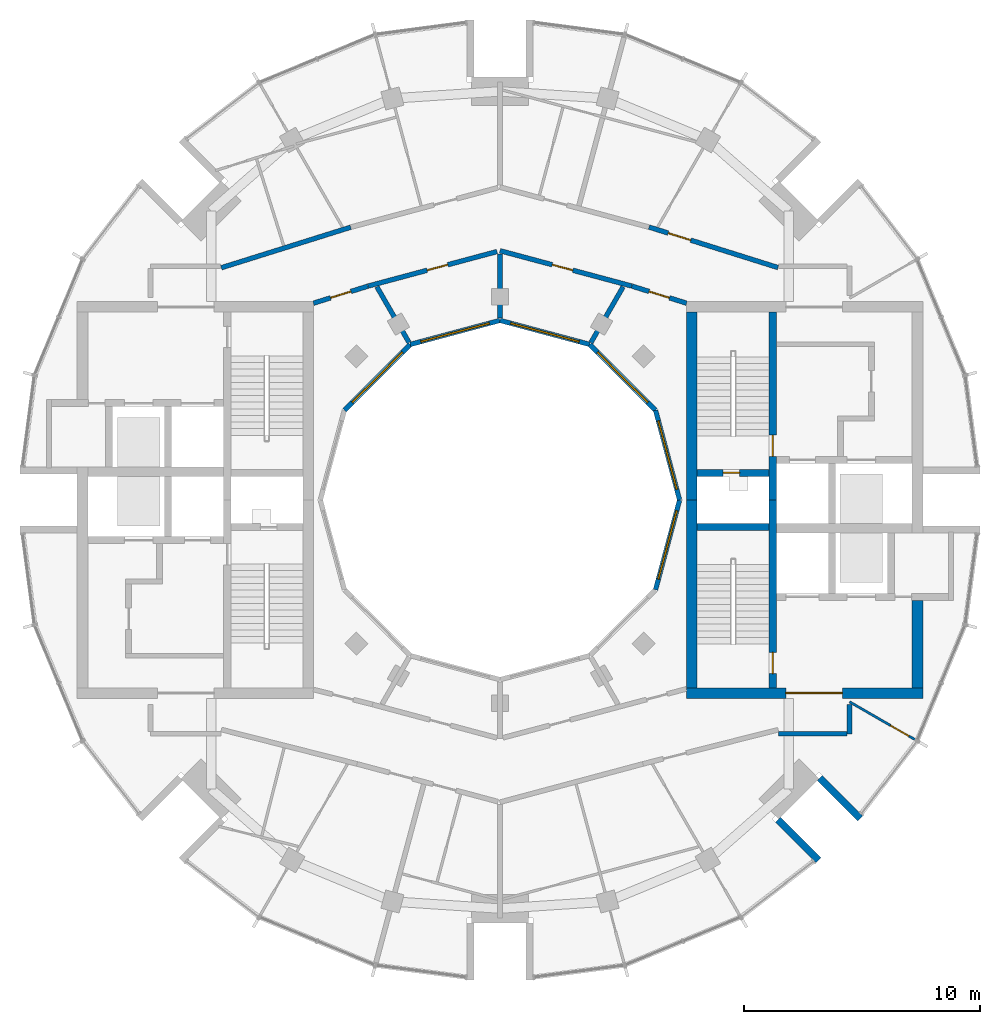
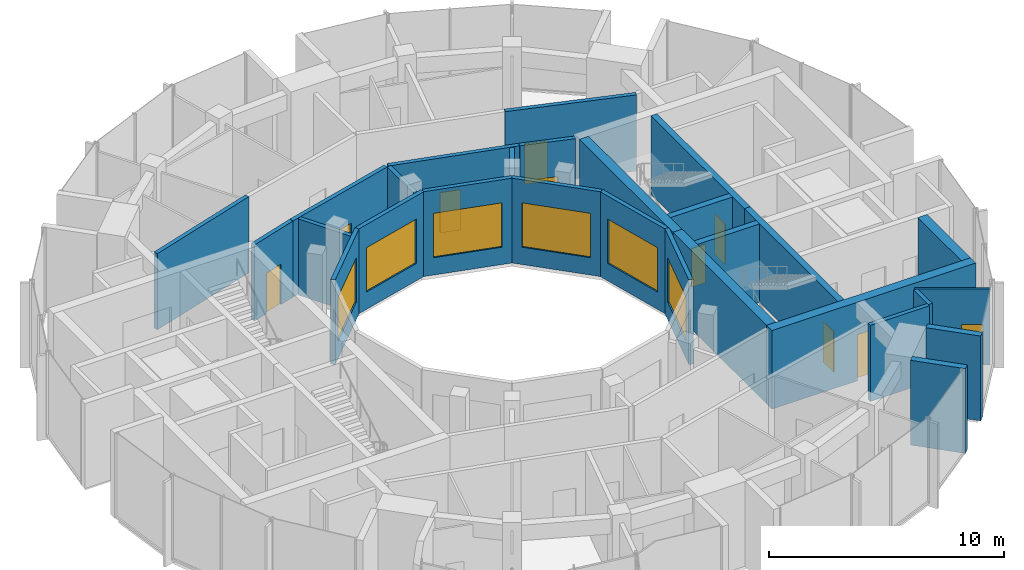
# One storey, part 9 of 13: 28 walls, 10 doors, 6 windows, 16 openings.
"""IFC4 building model written with IfcOpenShell, lengths in metres."""

from ifc_helpers import new_model, si_unit, direction, frame, frame_2d, origin, place, context, subcontext, project, spatial, rectangle, extrude, material, layer, layer_set, type_object, element, fill, save


model = new_model("IFC4")

# Units and contexts
model_context = context("Model", 3, precision=1e-05, world=origin(), true_north=direction((0.0, 1.0)))
body_context = subcontext(model_context, "Body", "Model", "MODEL_VIEW")
ifc_project = project(units=[si_unit("LENGTHUNIT", "METRE"), si_unit("AREAUNIT", "SQUARE_METRE"), si_unit("VOLUMEUNIT", "CUBIC_METRE"), si_unit("PLANEANGLEUNIT", "RADIAN"), si_unit("MASSUNIT", "GRAM", prefix="KILO")], contexts=[model_context])

# Site, building, storey
site_placement = place(None, origin())
site = spatial("IfcSite", under=ifc_project, at=site_placement, CompositionType="ELEMENT")
building_placement = place(site_placement, origin())
building = spatial("IfcBuilding", under=site, at=building_placement, Name="Torre Brocal", CompositionType="ELEMENT")
storey_placement = place(building_placement, frame((0.0, 0.0, 319.300048828125)))
storey = spatial("IfcBuildingStorey", under=building, at=storey_placement, Name="L73", CompositionType="ELEMENT", Elevation=319.300048828125)

# Wall, opening, door
ifc_material_1 = material(Name="Concrete C50", Category="concrete")
ifc_layer_1 = layer(ifc_material_1, 0.300048828125)
ifc_layer_set_1 = layer_set([ifc_layer_1], Name="Concrete C50")
wall_type_1 = type_object("IfcWallType", Name="CORE WALL 300 C50", PredefinedType="SHEAR", material=ifc_layer_set_1)
wall_1_placement = place(storey_placement, frame((91.550048828125, 75.0, 0.0), z_axis=(0.0, 0.0, 1.0), x_axis=(0.0, 1.0, 0.0)))
wall_1 = element("IfcWall", 1, at=wall_1_placement, inside=storey, type_object=wall_type_1, Name="Wall CW300-50", PredefinedType="SHEAR", context=body_context, shape_type="SweptSolid", body=[
    extrude(rectangle(XDim=7.949951171875, YDim=0.300048828125, at=frame_2d((3.97509765625, 0.0))), origin(), (0.0, 0.0, 1.0), 4.079833984375),
])
opening_1_placement = place(wall_1_placement, frame((1.85009765625, 0.0, 0.0)))
opening_1 = element("IfcOpeningElement", 2, at=opening_1_placement, cuts=wall_1, Name="Opening E-D02", PredefinedType="OPENING", context=body_context, shape_type="SweptSolid", body=[
    extrude(rectangle(XDim=0.89990234375, YDim=2.10009765625, at=frame_2d((0.449951171875, 1.050048828125))), frame((0.0, 0.159912109375, 0.0), z_axis=(0.0, -1.0, 0.0), x_axis=(1.0, 0.0, 0.0)), (0.0, 0.0, 1.0), 0.320068359375),
])
ifc_material_2 = material(Name="Steel A653", Category="steel")
door_type_1 = type_object("IfcDoorType", Name="STAIR DOOR FD120 900X2100", OperationType="SINGLE_SWING_RIGHT", PredefinedType="DOOR", material=ifc_material_2)
door_1_placement = place(opening_1_placement, origin())
door_1 = element("IfcDoor", 3, at=door_1_placement, inside=storey, type_object=door_type_1, Name="Door E-D02", OperationType="SINGLE_SWING_LEFT", OverallHeight=2.10009765625, OverallWidth=0.89990234375, PredefinedType="DOOR", context=body_context, shape_type="SweptSolid", body=[
    extrude(rectangle(XDim=0.89990234375, YDim=2.10009765625, at=frame_2d((0.449951171875, 1.050048828125))), frame((0.0, 0.02490234375, 0.0), z_axis=(0.0, -1.0, 0.0), x_axis=(1.0, 0.0, 0.0)), (0.0, 0.0, 1.0), 0.050048828125),
])
fill(opening_1, door_1)

wall_2_placement = place(storey_placement, frame((91.550048828125, 67.050048828125, 0.0), z_axis=(0.0, 0.0, 1.0), x_axis=(0.0, 1.0, 0.0)))
wall_2 = element("IfcWall", 4, at=wall_2_placement, inside=storey, type_object=wall_type_1, Name="Wall CW300-50", PredefinedType="SHEAR", context=body_context, shape_type="SweptSolid", body=[
    extrude(rectangle(XDim=7.949951171875, YDim=0.300048828125, at=frame_2d((3.97509765625, 0.0))), origin(), (0.0, 0.0, 1.0), 4.079833984375),
])
opening_2_placement = place(wall_2_placement, frame((0.60009765625, 0.0, 0.0)))
opening_2 = element("IfcOpeningElement", 5, at=opening_2_placement, cuts=wall_2, Name="Opening E-D03", PredefinedType="OPENING", context=body_context, shape_type="SweptSolid", body=[
    extrude(rectangle(XDim=0.89990234375, YDim=2.10009765625, at=frame_2d((0.449951171875, 1.050048828125))), frame((0.0, 0.159912109375, 0.0), z_axis=(0.0, -1.0, 0.0), x_axis=(1.0, 0.0, 0.0)), (0.0, 0.0, 1.0), 0.320068359375),
])
door_2_placement = place(opening_2_placement, origin())
door_2 = element("IfcDoor", 6, at=door_2_placement, inside=storey, type_object=door_type_1, Name="Door E-D03", OperationType="SINGLE_SWING_LEFT", OverallHeight=2.10009765625, OverallWidth=0.89990234375, PredefinedType="DOOR", context=body_context, shape_type="SweptSolid", body=[
    extrude(rectangle(XDim=0.89990234375, YDim=2.10009765625, at=frame_2d((0.449951171875, 1.050048828125))), frame((0.0, 0.02490234375, 0.0), z_axis=(0.0, -1.0, 0.0), x_axis=(1.0, 0.0, 0.0)), (0.0, 0.0, 1.0), 0.050048828125),
])
fill(opening_2, door_2)

wall_3_placement = place(storey_placement, frame((88.35009765625, 76.14990234375, 0.0), z_axis=(0.0, 0.0, 1.0), x_axis=(1.0, 0.0, 0.0)))
wall_3 = element("IfcWall", 7, at=wall_3_placement, inside=storey, type_object=wall_type_1, Name="Wall CW300-50", PredefinedType="SHEAR", context=body_context, shape_type="SweptSolid", body=[
    extrude(rectangle(XDim=3.0498046875, YDim=0.300048828125, at=frame_2d((1.52490234375, 0.0))), origin(), (0.0, 0.0, 1.0), 4.079833984375),
])
opening_3_placement = place(wall_3_placement, frame((1.10009765625, 0.0, 0.0)))
opening_3 = element("IfcOpeningElement", 8, at=opening_3_placement, cuts=wall_3, Name="Opening E-D01", PredefinedType="OPENING", context=body_context, shape_type="SweptSolid", body=[
    extrude(rectangle(XDim=0.699951171875, YDim=2.0, at=frame_2d((0.35009765625, 1.0))), frame((0.0, 0.159912109375, 0.0), z_axis=(0.0, -1.0, 0.0), x_axis=(1.0, 0.0, 0.0)), (0.0, 0.0, 1.0), 0.320068359375),
])
ifc_material_3 = material(Name="Steel A653", Category="steel")
door_type_2 = type_object("IfcDoorType", Name="RISER DOOR FD120 700X2000", OperationType="SINGLE_SWING_LEFT", PredefinedType="DOOR", material=ifc_material_3)
door_3_placement = place(opening_3_placement, frame((0.699951171875, 0.0, 0.0), z_axis=(0.0, 0.0, 1.0), x_axis=(-1.0, 0.0, 0.0)))
door_3 = element("IfcDoor", 9, at=door_3_placement, inside=storey, type_object=door_type_2, Name="Door E-D01", OperationType="SINGLE_SWING_RIGHT", OverallHeight=2.0, OverallWidth=0.699951171875, PredefinedType="DOOR", context=body_context, shape_type="SweptSolid", body=[
    extrude(rectangle(XDim=0.699951171875, YDim=2.0, at=frame_2d((0.35009765625, 1.0))), frame((0.0, 0.02490234375, 0.0), z_axis=(0.0, -1.0, 0.0), x_axis=(1.0, 0.0, 0.0)), (0.0, 0.0, 1.0), 0.050048828125),
])
fill(opening_3, door_3)

# Wall
wall_4_placement = place(storey_placement, frame((88.35009765625, 73.85009765625, 0.0), z_axis=(0.0, 0.0, 1.0), x_axis=(1.0, 0.0, 0.0)))
element("IfcWall", 10, at=wall_4_placement, inside=storey, type_object=wall_type_1, Name="Wall CW300-50", PredefinedType="SHEAR", context=body_context, shape_type="SweptSolid", body=[
    extrude(rectangle(XDim=3.0498046875, YDim=0.300048828125, at=frame_2d((1.52490234375, 0.0))), origin(), (0.0, 0.0, 1.0), 4.079833984375),
])

# Wall, opening, door
ifc_material_4 = material(Name="Concrete C50", Category="concrete")
ifc_layer_2 = layer(ifc_material_4, 0.449951171875)
ifc_layer_set_2 = layer_set([ifc_layer_2], Name="Concrete C50")
wall_type_2 = type_object("IfcWallType", Name="CORE WALL 450 C50", PredefinedType="SHEAR", material=ifc_layer_set_2)
wall_5_placement = place(storey_placement, frame((87.89990234375, 66.824951171875, 0.0), z_axis=(0.0, 0.0, 1.0), x_axis=(1.0, 0.0, 0.0)))
wall_5 = element("IfcWall", 11, at=wall_5_placement, inside=storey, type_object=wall_type_2, Name="Wall CW450-50", PredefinedType="SHEAR", context=body_context, shape_type="SweptSolid", body=[
    extrude(rectangle(XDim=10.0, YDim=0.449951171875, at=frame_2d((5.0, 0.0))), origin(), (0.0, 0.0, 1.0), 4.079833984375),
])
opening_4_placement = place(wall_5_placement, frame((4.199951171875, 0.0, 0.0)))
opening_4 = element("IfcOpeningElement", 12, at=opening_4_placement, cuts=wall_5, Name="Opening E-D24", PredefinedType="OPENING", context=body_context, shape_type="SweptSolid", body=[
    extrude(rectangle(XDim=2.39990234375, YDim=2.39990234375, at=frame_2d((1.199951171875, 1.199951171875))), frame((0.0, 0.23486328125, 0.0), z_axis=(0.0, -1.0, 0.0), x_axis=(1.0, 0.0, 0.0)), (0.0, 0.0, 1.0), 0.469970703125),
])
ifc_material_5 = material(Name="Steel A653", Category="steel")
door_type_3 = type_object("IfcDoorType", Name="DOUBLE FIRE DOOR FD90 2400X2400", OperationType="DOUBLE_DOOR_SINGLE_SWING", PredefinedType="DOOR", material=ifc_material_5)
door_4_placement = place(opening_4_placement, origin())
door_4 = element("IfcDoor", 13, at=door_4_placement, inside=storey, type_object=door_type_3, Name="Door E-D24", OperationType="DOUBLE_DOOR_SINGLE_SWING", OverallHeight=2.39990234375, OverallWidth=2.39990234375, PredefinedType="DOOR", context=body_context, shape_type="SweptSolid", body=[
    extrude(rectangle(XDim=2.39990234375, YDim=2.39990234375, at=frame_2d((1.199951171875, 1.199951171875))), frame((0.0, 0.02490234375, 0.0), z_axis=(0.0, -1.0, 0.0), x_axis=(1.0, 0.0, 0.0)), (0.0, 0.0, 1.0), 0.050048828125),
])
fill(opening_4, door_4)

# Walls
for number, where, z_axis, x_axis, name in (
    (14, (88.125, 75.0, 0.0), (0.0, 0.0, 1.0), (0.0, 1.0, 0.0), "Wall CW450-50"),
    (15, (88.125, 67.050048828125, 0.0), (0.0, 0.0, 1.0), (0.0, 1.0, 0.0), "Wall CW450-50"),
):
    element("IfcWall", number, at=place(storey_placement, frame(where, z_axis=z_axis, x_axis=x_axis)), inside=storey, type_object=wall_type_2, Name=name, PredefinedType="SHEAR", context=body_context, shape_type="SweptSolid", body=[
        extrude(rectangle(XDim=7.949951171875, YDim=0.449951171875, at=frame_2d((3.97509765625, 0.0))), origin(), (0.0, 0.0, 1.0), 4.079833984375),
    ])
wall_6_placement = place(storey_placement, frame((97.675048828125, 67.050048828125, 0.0), z_axis=(0.0, 0.0, 1.0), x_axis=(0.0, 1.0, 0.0)))
element("IfcWall", 16, at=wall_6_placement, inside=storey, type_object=wall_type_2, Name="Wall CW450-50", PredefinedType="SHEAR", context=body_context, shape_type="SweptSolid", body=[
    extrude(rectangle(XDim=3.699951171875, YDim=0.449951171875, at=frame_2d((1.85009765625, 0.0))), origin(), (0.0, 0.0, 1.0), 4.079833984375),
])
ifc_material_6 = material(Name="Concrete C50", Category="concrete")
ifc_layer_3 = layer(ifc_material_6, 0.300048828125)
ifc_layer_set_3 = layer_set([ifc_layer_3], Name="Concrete C50")
wall_type_3 = type_object("IfcWallType", Name="NOTCH RETURN WALL 300 C50", PredefinedType="NOTDEFINED", material=ifc_layer_set_3)
for number, where, z_axis, x_axis, name in (
    (17, (91.7734375, 61.458984375, 0.0), (0.0, 0.0, 1.0), (0.707056246487, -0.707157312274, 0.0), "NOTCH RETURN WALL"),
    (18, (93.541015625, 63.2265625, 0.0), (0.0, 0.0, 1.0), (0.707157312274, -0.707056246487, 0.0), "NOTCH RETURN WALL"),
):
    element("IfcWall", number, at=place(storey_placement, frame(where, z_axis=z_axis, x_axis=x_axis)), inside=storey, type_object=wall_type_3, Name=name, PredefinedType="NOTDEFINED", context=body_context, shape_type="SweptSolid", body=[
        extrude(rectangle(XDim=2.415771484375, YDim=0.300048828125, at=frame_2d((1.2080078125, 0.0))), origin(), (0.0, 0.0, 1.0), 4.39990234375),
    ])

# Wall, opening, door
ifc_material_7 = material(Name="Gypsum board", Category="Gypsum")
ifc_layer_4 = layer(ifc_material_7, 0.10009765625)
ifc_layer_set_4 = layer_set([ifc_layer_4], Name="Gypsum board")
wall_type_4 = type_object("IfcWallType", Name="PARTITION 100", PredefinedType="PARTITIONING", material=ifc_layer_set_4)
wall_7_placement = place(storey_placement, frame((94.800048828125, 66.454833984375, 0.0), z_axis=(0.0, 0.0, 1.0), x_axis=(0.866056279496, -0.499946517884, 0.0)))
wall_7 = element("IfcWall", 19, at=wall_7_placement, inside=storey, type_object=wall_type_4, Name="ROOM PARTITION", PredefinedType="PARTITIONING", context=body_context, shape_type="SweptSolid", body=[
    extrude(rectangle(XDim=3.206787109375, YDim=0.10009765625, at=frame_2d((1.603515625, 0.0))), origin(), (0.0, 0.0, 1.0), 3.949951171875),
])
opening_5_placement = place(wall_7_placement, frame((2.006591796875, 0.0, 0.0)))
opening_5 = element("IfcOpeningElement", 20, at=opening_5_placement, cuts=wall_7, Name="Opening N05-D23", PredefinedType="OPENING", context=body_context, shape_type="SweptSolid", body=[
    extrude(rectangle(XDim=0.89990234375, YDim=2.10009765625, at=frame_2d((0.449951171875, 1.050048828125))), frame((0.0, 0.06005859375, 0.0), z_axis=(0.0, -1.0, 0.0), x_axis=(1.0, 0.0, 0.0)), (0.0, 0.0, 1.0), 0.1201171875),
])
ifc_material_8 = material(Name="Timber", Category="wood")
door_type_4 = type_object("IfcDoorType", Name="ROOM DOOR 900X2100", OperationType="SINGLE_SWING_LEFT", PredefinedType="DOOR", material=ifc_material_8)
door_5_placement = place(opening_5_placement, origin())
door_5 = element("IfcDoor", 21, at=door_5_placement, inside=storey, type_object=door_type_4, Name="N05-D23", OperationType="SINGLE_SWING_RIGHT", OverallHeight=2.10009765625, OverallWidth=0.89990234375, PredefinedType="DOOR", context=body_context, shape_type="SweptSolid", body=[
    extrude(rectangle(XDim=0.89990234375, YDim=2.10009765625, at=frame_2d((0.449951171875, 1.050048828125))), frame((0.0, 0.02490234375, 0.0), z_axis=(0.0, -1.0, 0.0), x_axis=(1.0, 0.0, 0.0)), (0.0, 0.0, 1.0), 0.050048828125),
])
fill(opening_5, door_5)

# Wall
ifc_material_9 = material(Name="Gypsum board", Category="Gypsum")
ifc_layer_5 = layer(ifc_material_9, 0.199951171875)
ifc_layer_set_5 = layer_set([ifc_layer_5], Name="Gypsum board")
wall_type_5 = type_object("IfcWallType", Name="PARTITION 200 EI60", PredefinedType="PARTITIONING", material=ifc_layer_set_5)
wall_8_placement = place(storey_placement, frame((68.20068359375, 84.833740234375, 0.0), z_axis=(0.0, 0.0, 1.0), x_axis=(0.954232917497, 0.29906443982, 0.0)))
element("IfcWall", 22, at=wall_8_placement, inside=storey, type_object=wall_type_5, Name="GUESTROOM CORRIDOR WALL", PredefinedType="PARTITIONING", context=body_context, shape_type="SweptSolid", body=[
    extrude(rectangle(XDim=5.73974609375, YDim=0.199951171875, at=frame_2d((2.869873046875, 0.0))), origin(), (0.0, 0.0, 1.0), 3.949951171875),
])

# Wall, opening, door
wall_9_placement = place(storey_placement, frame((72.10009765625, 83.33203125, 0.0), z_axis=(0.0, 0.0, 1.0), x_axis=(0.954233106619, 0.299063836383, 0.0)))
wall_9 = element("IfcWall", 23, at=wall_9_placement, inside=storey, type_object=wall_type_5, Name="CORRIDOR WALL", PredefinedType="PARTITIONING", context=body_context, shape_type="SweptSolid", body=[
    extrude(rectangle(XDim=2.4140625, YDim=0.199951171875, at=frame_2d((1.20703125, 0.0))), origin(), (0.0, 0.0, 1.0), 3.949951171875),
])
opening_6_placement = place(wall_9_placement, frame((0.761962890625, 0.0, 0.0)))
opening_6 = element("IfcOpeningElement", 24, at=opening_6_placement, cuts=wall_9, Name="Opening N05-D17", PredefinedType="OPENING", context=body_context, shape_type="SweptSolid", body=[
    extrude(rectangle(XDim=0.89990234375, YDim=2.10009765625, at=frame_2d((0.449951171875, 1.050048828125))), frame((0.0, 0.10986328125, 0.0), z_axis=(0.0, -1.0, 0.0), x_axis=(1.0, 0.0, 0.0)), (0.0, 0.0, 1.0), 0.219970703125),
])
door_6_placement = place(opening_6_placement, frame((0.89990234375, 0.0, 0.0), z_axis=(0.0, 0.0, 1.0), x_axis=(-1.0, 0.0, 0.0)))
door_6 = element("IfcDoor", 25, at=door_6_placement, inside=storey, type_object=door_type_4, Name="N05-D17", OperationType="SINGLE_SWING_RIGHT", OverallHeight=2.10009765625, OverallWidth=0.89990234375, PredefinedType="DOOR", context=body_context, shape_type="SweptSolid", body=[
    extrude(rectangle(XDim=0.89990234375, YDim=2.10009765625, at=frame_2d((0.449951171875, 1.050048828125))), frame((0.0, 0.02490234375, 0.0), z_axis=(0.0, -1.0, 0.0), x_axis=(1.0, 0.0, 0.0)), (0.0, 0.0, 1.0), 0.050048828125),
])
fill(opening_6, door_6)

wall_10_placement = place(storey_placement, frame((74.4130859375, 84.056884765625, 0.0), z_axis=(0.0, 0.0, 1.0), x_axis=(0.965972135939, 0.258646153246, 0.0)))
wall_10 = element("IfcWall", 26, at=wall_10_placement, inside=storey, type_object=wall_type_5, Name="CORRIDOR WALL", PredefinedType="PARTITIONING", context=body_context, shape_type="SweptSolid", body=[
    extrude(rectangle(XDim=5.654052734375, YDim=0.199951171875, at=frame_2d((2.8271484375, 0.0))), origin(), (0.0, 0.0, 1.0), 3.949951171875),
])
opening_7_placement = place(wall_10_placement, frame((2.5927734375, 0.0, 0.0)))
opening_7 = element("IfcOpeningElement", 27, at=opening_7_placement, cuts=wall_10, Name="Opening N05-D16", PredefinedType="OPENING", context=body_context, shape_type="SweptSolid", body=[
    extrude(rectangle(XDim=0.89990234375, YDim=2.10009765625, at=frame_2d((0.449951171875, 1.050048828125))), frame((0.0, 0.10986328125, 0.0), z_axis=(0.0, -1.0, 0.0), x_axis=(1.0, 0.0, 0.0)), (0.0, 0.0, 1.0), 0.219970703125),
])
door_7_placement = place(opening_7_placement, frame((0.89990234375, 0.0, 0.0), z_axis=(0.0, 0.0, 1.0), x_axis=(-1.0, 0.0, 0.0)))
door_7 = element("IfcDoor", 28, at=door_7_placement, inside=storey, type_object=door_type_4, Name="N05-D16", OperationType="SINGLE_SWING_RIGHT", OverallHeight=2.10009765625, OverallWidth=0.89990234375, PredefinedType="DOOR", context=body_context, shape_type="SweptSolid", body=[
    extrude(rectangle(XDim=0.89990234375, YDim=2.10009765625, at=frame_2d((0.449951171875, 1.050048828125))), frame((0.0, 0.02490234375, 0.0), z_axis=(0.0, -1.0, 0.0), x_axis=(1.0, 0.0, 0.0)), (0.0, 0.0, 1.0), 0.050048828125),
])
fill(opening_7, door_7)

# Walls
wall_11_placement = place(storey_placement, frame((74.787353515625, 84.027099609375, 0.0), z_axis=(0.0, 0.0, 1.0), x_axis=(0.500079107518, -0.86597972622, 0.0)))
element("IfcWall", 29, at=wall_11_placement, inside=storey, type_object=wall_type_5, Name="PARTY PARTITION", PredefinedType="PARTITIONING", context=body_context, shape_type="SweptSolid", body=[
    extrude(rectangle(XDim=2.7255859375, YDim=0.199951171875, at=frame_2d((1.36279296875, 0.0))), origin(), (0.0, 0.0, 1.0), 3.949951171875),
])
wall_12_placement = place(storey_placement, frame((80.0, 82.698974609375, 0.0), z_axis=(0.0, 0.0, 1.0), x_axis=(0.0, 1.0, 0.0)))
element("IfcWall", 30, at=wall_12_placement, inside=storey, type_object=wall_type_5, Name="PARTY PARTITION", PredefinedType="PARTITIONING", context=body_context, shape_type="SweptSolid", body=[
    extrude(rectangle(XDim=2.72509765625, YDim=0.199951171875, at=frame_2d((1.362548828125, 0.0))), origin(), (0.0, 0.0, 1.0), 3.949951171875),
])

# Wall, opening, door
wall_13_placement = place(storey_placement, frame((80.0, 85.553955078125, 0.0), z_axis=(0.0, 0.0, 1.0), x_axis=(0.965928989968, -0.258807237802, 0.0)))
wall_13 = element("IfcWall", 31, at=wall_13_placement, inside=storey, type_object=wall_type_5, Name="CORRIDOR WALL", PredefinedType="PARTITIONING", context=body_context, shape_type="SweptSolid", body=[
    extrude(rectangle(XDim=5.774169921875, YDim=0.199951171875, at=frame_2d((2.88720703125, 0.0))), origin(), (0.0, 0.0, 1.0), 3.949951171875),
])
opening_8_placement = place(wall_13_placement, frame((2.29150390625, 0.0, 0.0)))
opening_8 = element("IfcOpeningElement", 32, at=opening_8_placement, cuts=wall_13, Name="Opening N05-D15", PredefinedType="OPENING", context=body_context, shape_type="SweptSolid", body=[
    extrude(rectangle(XDim=0.89990234375, YDim=2.10009765625, at=frame_2d((0.449951171875, 1.050048828125))), frame((0.0, 0.10986328125, 0.0), z_axis=(0.0, -1.0, 0.0), x_axis=(1.0, 0.0, 0.0)), (0.0, 0.0, 1.0), 0.219970703125),
])
door_8_placement = place(opening_8_placement, frame((0.89990234375, 0.0, 0.0), z_axis=(0.0, 0.0, 1.0), x_axis=(-1.0, 0.0, 0.0)))
door_8 = element("IfcDoor", 33, at=door_8_placement, inside=storey, type_object=door_type_4, Name="N05-D15", OperationType="SINGLE_SWING_LEFT", OverallHeight=2.10009765625, OverallWidth=0.89990234375, PredefinedType="DOOR", context=body_context, shape_type="SweptSolid", body=[
    extrude(rectangle(XDim=0.89990234375, YDim=2.10009765625, at=frame_2d((0.449951171875, 1.050048828125))), frame((0.0, 0.02490234375, 0.0), z_axis=(0.0, -1.0, 0.0), x_axis=(1.0, 0.0, 0.0)), (0.0, 0.0, 1.0), 0.050048828125),
])
fill(opening_8, door_8)

# Wall
wall_14_placement = place(storey_placement, frame((83.85009765625, 81.66650390625, 0.0), z_axis=(0.0, 0.0, 1.0), x_axis=(0.500185068774, 0.865918527909, 0.0)))
element("IfcWall", 34, at=wall_14_placement, inside=storey, type_object=wall_type_5, Name="PARTY PARTITION", PredefinedType="PARTITIONING", context=body_context, shape_type="SweptSolid", body=[
    extrude(rectangle(XDim=2.7255859375, YDim=0.199951171875, at=frame_2d((1.36279296875, 0.0))), origin(), (0.0, 0.0, 1.0), 3.949951171875),
])

# Wall, opening, door
wall_15_placement = place(storey_placement, frame((85.5869140625, 84.056884765625, 0.0), z_axis=(0.0, 0.0, 1.0), x_axis=(0.954239513179, -0.299043393987, 0.0)))
wall_15 = element("IfcWall", 35, at=wall_15_placement, inside=storey, type_object=wall_type_5, Name="CORRIDOR WALL", PredefinedType="PARTITIONING", context=body_context, shape_type="SweptSolid", body=[
    extrude(rectangle(XDim=2.423828125, YDim=0.199951171875, at=frame_2d((1.2119140625, 0.0))), origin(), (0.0, 0.0, 1.0), 3.949951171875),
])
opening_9_placement = place(wall_15_placement, frame((0.761962890625, 0.0, 0.0)))
opening_9 = element("IfcOpeningElement", 36, at=opening_9_placement, cuts=wall_15, Name="Opening N05-D14", PredefinedType="OPENING", context=body_context, shape_type="SweptSolid", body=[
    extrude(rectangle(XDim=0.89990234375, YDim=2.10009765625, at=frame_2d((0.449951171875, 1.050048828125))), frame((0.0, 0.10986328125, 0.0), z_axis=(0.0, -1.0, 0.0), x_axis=(1.0, 0.0, 0.0)), (0.0, 0.0, 1.0), 0.219970703125),
])
door_9_placement = place(opening_9_placement, frame((0.89990234375, 0.0, 0.0), z_axis=(0.0, 0.0, 1.0), x_axis=(-1.0, 0.0, 0.0)))
door_9 = element("IfcDoor", 37, at=door_9_placement, inside=storey, type_object=door_type_4, Name="N05-D14", OperationType="SINGLE_SWING_LEFT", OverallHeight=2.10009765625, OverallWidth=0.89990234375, PredefinedType="DOOR", context=body_context, shape_type="SweptSolid", body=[
    extrude(rectangle(XDim=0.89990234375, YDim=2.10009765625, at=frame_2d((0.449951171875, 1.050048828125))), frame((0.0, 0.02490234375, 0.0), z_axis=(0.0, -1.0, 0.0), x_axis=(1.0, 0.0, 0.0)), (0.0, 0.0, 1.0), 0.050048828125),
])
fill(opening_9, door_9)

wall_16_placement = place(storey_placement, frame((86.3134765625, 86.555419921875, 0.0), z_axis=(0.0, 0.0, 1.0), x_axis=(0.9540216201, -0.299737799389, 0.0)))
wall_16 = element("IfcWall", 38, at=wall_16_placement, inside=storey, type_object=wall_type_5, Name="FLAT ENTRANCE WALL", PredefinedType="PARTITIONING", context=body_context, shape_type="SweptSolid", body=[
    extrude(rectangle(XDim=5.719482421875, YDim=0.199951171875, at=frame_2d((2.85986328125, 0.0))), origin(), (0.0, 0.0, 1.0), 3.949951171875),
])
opening_10_placement = place(wall_16_placement, frame((0.84765625, 0.0, 0.0)))
opening_10 = element("IfcOpeningElement", 39, at=opening_10_placement, cuts=wall_16, Name="Opening N05-D01", PredefinedType="OPENING", context=body_context, shape_type="SweptSolid", body=[
    extrude(rectangle(XDim=1.0, YDim=2.10009765625, at=frame_2d((0.5, 1.050048828125))), frame((0.0, 0.10986328125, 0.0), z_axis=(0.0, -1.0, 0.0), x_axis=(1.0, 0.0, 0.0)), (0.0, 0.0, 1.0), 0.219970703125),
])
ifc_material_10 = material(Name="Timber", Category="wood")
door_type_5 = type_object("IfcDoorType", Name="FLAT ENTRY DOOR FD30S 1000X2100", OperationType="SINGLE_SWING_RIGHT", PredefinedType="DOOR", material=ifc_material_10)
door_10_placement = place(opening_10_placement, origin())
door_10 = element("IfcDoor", 40, at=door_10_placement, inside=storey, type_object=door_type_5, Name="N05-D01", OperationType="SINGLE_SWING_LEFT", OverallHeight=2.10009765625, OverallWidth=1.0, PredefinedType="DOOR", context=body_context, shape_type="SweptSolid", body=[
    extrude(rectangle(XDim=1.0, YDim=2.10009765625, at=frame_2d((0.5, 1.050048828125))), frame((0.0, 0.02490234375, 0.0), z_axis=(0.0, -1.0, 0.0), x_axis=(1.0, 0.0, 0.0)), (0.0, 0.0, 1.0), 0.050048828125),
])
fill(opening_10, door_10)

# Walls
wall_17_placement = place(storey_placement, frame((91.800048828125, 65.10009765625, 0.0), z_axis=(0.0, 0.0, 1.0), x_axis=(1.0, 0.0, 0.0)))
element("IfcWall", 41, at=wall_17_placement, inside=storey, type_object=wall_type_5, Name="FLAT ENTRANCE WALL", PredefinedType="PARTITIONING", context=body_context, shape_type="SweptSolid", body=[
    extrude(rectangle(XDim=2.89990234375, YDim=0.199951171875, at=frame_2d((1.449951171875, 0.0))), origin(), (0.0, 0.0, 1.0), 3.949951171875),
])
wall_18_placement = place(storey_placement, frame((94.800048828125, 65.10009765625, 0.0), z_axis=(0.0, 0.0, 1.0), x_axis=(0.0, 1.0, 0.0)))
element("IfcWall", 42, at=wall_18_placement, inside=storey, type_object=wall_type_5, Name="FLAT ENTRANCE WALL", PredefinedType="PARTITIONING", context=body_context, shape_type="SweptSolid", body=[
    extrude(rectangle(XDim=1.25, YDim=0.199951171875, at=frame_2d((0.625, 0.0))), origin(), (0.0, 0.0, 1.0), 3.949951171875),
])

# Wall, opening, window
ifc_material_11 = material(Name="Concrete C40", Category="concrete")
ifc_layer_6 = layer(ifc_material_11, 0.199951171875)
ifc_layer_set_6 = layer_set([ifc_layer_6], Name="Concrete C40")
wall_type_6 = type_object("IfcWallType", Name="WELL FACADE WALL 200", PredefinedType="NOTDEFINED", material=ifc_layer_set_6)
wall_19_placement = place(storey_placement, frame((87.603515625, 75.0, 0.0), z_axis=(0.0, 0.0, 1.0), x_axis=(-0.258789828301, 0.965933654434, 0.0)))
wall_19 = element("IfcWall", 43, at=wall_19_placement, inside=storey, type_object=wall_type_6, Name="WELL FACADE WALL", PredefinedType="NOTDEFINED", context=body_context, shape_type="SweptSolid", body=[
    extrude(rectangle(XDim=3.935791015625, YDim=0.199951171875, at=frame_2d((1.9677734375, 0.0))), origin(), (0.0, 0.0, 1.0), 4.39990234375),
])
opening_11_placement = place(wall_19_placement, frame((0.468017578125, 0.0, 0.89990234375)))
opening_11 = element("IfcOpeningElement", 44, at=opening_11_placement, cuts=wall_19, Name="Opening W1", PredefinedType="OPENING", context=body_context, shape_type="SweptSolid", body=[
    extrude(rectangle(XDim=3.0, YDim=2.300048828125, at=frame_2d((1.5, 1.14990234375))), frame((0.0, 0.10986328125, 0.0), z_axis=(0.0, -1.0, 0.0), x_axis=(1.0, 0.0, 0.0)), (0.0, 0.0, 1.0), 0.219970703125),
])
ifc_material_12 = material(Name="Aluminium and glass", Category="aluminium")
window_type = type_object("IfcWindowType", Name="WELL WINDOW 3000X2300", PartitioningType="SINGLE_PANEL", PredefinedType="WINDOW", material=ifc_material_12)
window_1_placement = place(opening_11_placement, origin())
window_1 = element("IfcWindow", 45, at=window_1_placement, inside=storey, type_object=window_type, Name="WELL WINDOW 3000X2300", OverallHeight=2.300048828125, OverallWidth=3.0, PartitioningType="SINGLE_PANEL", PredefinedType="WINDOW", context=body_context, shape_type="SweptSolid", body=[
    extrude(rectangle(XDim=3.0, YDim=2.300048828125, at=frame_2d((1.5, 1.14990234375))), frame((0.0, 0.030029296875, 0.0), z_axis=(0.0, -1.0, 0.0), x_axis=(1.0, 0.0, 0.0)), (0.0, 0.0, 1.0), 0.06005859375),
])
fill(opening_11, window_1)

wall_20_placement = place(storey_placement, frame((86.5849609375, 78.8017578125, 0.0), z_axis=(0.0, 0.0, 1.0), x_axis=(-0.707106781187, 0.707106781187, 0.0)))
wall_20 = element("IfcWall", 46, at=wall_20_placement, inside=storey, type_object=wall_type_6, Name="WELL FACADE WALL", PredefinedType="NOTDEFINED", context=body_context, shape_type="SweptSolid", body=[
    extrude(rectangle(XDim=3.93603515625, YDim=0.199951171875, at=frame_2d((1.968017578125, 0.0))), origin(), (0.0, 0.0, 1.0), 4.39990234375),
])
opening_12_placement = place(wall_20_placement, frame((0.468017578125, 0.0, 0.89990234375)))
opening_12 = element("IfcOpeningElement", 47, at=opening_12_placement, cuts=wall_20, Name="Opening W1", PredefinedType="OPENING", context=body_context, shape_type="SweptSolid", body=[
    extrude(rectangle(XDim=3.0, YDim=2.300048828125, at=frame_2d((1.5, 1.14990234375))), frame((0.0, 0.10986328125, 0.0), z_axis=(0.0, -1.0, 0.0), x_axis=(1.0, 0.0, 0.0)), (0.0, 0.0, 1.0), 0.219970703125),
])
window_2_placement = place(opening_12_placement, origin())
window_2 = element("IfcWindow", 48, at=window_2_placement, inside=storey, type_object=window_type, Name="WELL WINDOW 3000X2300", OverallHeight=2.300048828125, OverallWidth=3.0, PartitioningType="SINGLE_PANEL", PredefinedType="WINDOW", context=body_context, shape_type="SweptSolid", body=[
    extrude(rectangle(XDim=3.0, YDim=2.300048828125, at=frame_2d((1.5, 1.14990234375))), frame((0.0, 0.030029296875, 0.0), z_axis=(0.0, -1.0, 0.0), x_axis=(1.0, 0.0, 0.0)), (0.0, 0.0, 1.0), 0.06005859375),
])
fill(opening_12, window_2)

wall_21_placement = place(storey_placement, frame((83.8017578125, 81.5849609375, 0.0), z_axis=(0.0, 0.0, 1.0), x_axis=(-0.965933654434, 0.258789828301, 0.0)))
wall_21 = element("IfcWall", 49, at=wall_21_placement, inside=storey, type_object=wall_type_6, Name="WELL FACADE WALL", PredefinedType="NOTDEFINED", context=body_context, shape_type="SweptSolid", body=[
    extrude(rectangle(XDim=3.935791015625, YDim=0.199951171875, at=frame_2d((1.9677734375, 0.0))), origin(), (0.0, 0.0, 1.0), 4.39990234375),
])
opening_13_placement = place(wall_21_placement, frame((0.468017578125, 0.0, 0.89990234375)))
opening_13 = element("IfcOpeningElement", 50, at=opening_13_placement, cuts=wall_21, Name="Opening W1", PredefinedType="OPENING", context=body_context, shape_type="SweptSolid", body=[
    extrude(rectangle(XDim=3.0, YDim=2.300048828125, at=frame_2d((1.5, 1.14990234375))), frame((0.0, 0.10986328125, 0.0), z_axis=(0.0, -1.0, 0.0), x_axis=(1.0, 0.0, 0.0)), (0.0, 0.0, 1.0), 0.219970703125),
])
window_3_placement = place(opening_13_placement, origin())
window_3 = element("IfcWindow", 51, at=window_3_placement, inside=storey, type_object=window_type, Name="WELL WINDOW 3000X2300", OverallHeight=2.300048828125, OverallWidth=3.0, PartitioningType="SINGLE_PANEL", PredefinedType="WINDOW", context=body_context, shape_type="SweptSolid", body=[
    extrude(rectangle(XDim=3.0, YDim=2.300048828125, at=frame_2d((1.5, 1.14990234375))), frame((0.0, 0.030029296875, 0.0), z_axis=(0.0, -1.0, 0.0), x_axis=(1.0, 0.0, 0.0)), (0.0, 0.0, 1.0), 0.06005859375),
])
fill(opening_13, window_3)

wall_22_placement = place(storey_placement, frame((80.0, 82.603515625, 0.0), z_axis=(0.0, 0.0, 1.0), x_axis=(-0.965933654434, -0.258789828301, 0.0)))
wall_22 = element("IfcWall", 52, at=wall_22_placement, inside=storey, type_object=wall_type_6, Name="WELL FACADE WALL", PredefinedType="NOTDEFINED", context=body_context, shape_type="SweptSolid", body=[
    extrude(rectangle(XDim=3.935791015625, YDim=0.199951171875, at=frame_2d((1.9677734375, 0.0))), origin(), (0.0, 0.0, 1.0), 4.39990234375),
])
opening_14_placement = place(wall_22_placement, frame((0.468017578125, 0.0, 0.89990234375)))
opening_14 = element("IfcOpeningElement", 53, at=opening_14_placement, cuts=wall_22, Name="Opening W1", PredefinedType="OPENING", context=body_context, shape_type="SweptSolid", body=[
    extrude(rectangle(XDim=3.0, YDim=2.300048828125, at=frame_2d((1.5, 1.14990234375))), frame((0.0, 0.10986328125, 0.0), z_axis=(0.0, -1.0, 0.0), x_axis=(1.0, 0.0, 0.0)), (0.0, 0.0, 1.0), 0.219970703125),
])
window_4_placement = place(opening_14_placement, origin())
window_4 = element("IfcWindow", 54, at=window_4_placement, inside=storey, type_object=window_type, Name="WELL WINDOW 3000X2300", OverallHeight=2.300048828125, OverallWidth=3.0, PartitioningType="SINGLE_PANEL", PredefinedType="WINDOW", context=body_context, shape_type="SweptSolid", body=[
    extrude(rectangle(XDim=3.0, YDim=2.300048828125, at=frame_2d((1.5, 1.14990234375))), frame((0.0, 0.030029296875, 0.0), z_axis=(0.0, -1.0, 0.0), x_axis=(1.0, 0.0, 0.0)), (0.0, 0.0, 1.0), 0.06005859375),
])
fill(opening_14, window_4)

wall_23_placement = place(storey_placement, frame((76.1982421875, 81.5849609375, 0.0), z_axis=(0.0, 0.0, 1.0), x_axis=(-0.707106781187, -0.707106781187, 0.0)))
wall_23 = element("IfcWall", 55, at=wall_23_placement, inside=storey, type_object=wall_type_6, Name="WELL FACADE WALL", PredefinedType="NOTDEFINED", context=body_context, shape_type="SweptSolid", body=[
    extrude(rectangle(XDim=3.93603515625, YDim=0.199951171875, at=frame_2d((1.968017578125, 0.0))), origin(), (0.0, 0.0, 1.0), 4.39990234375),
])
opening_15_placement = place(wall_23_placement, frame((0.468017578125, 0.0, 0.89990234375)))
opening_15 = element("IfcOpeningElement", 56, at=opening_15_placement, cuts=wall_23, Name="Opening W1", PredefinedType="OPENING", context=body_context, shape_type="SweptSolid", body=[
    extrude(rectangle(XDim=3.0, YDim=2.300048828125, at=frame_2d((1.5, 1.14990234375))), frame((0.0, 0.10986328125, 0.0), z_axis=(0.0, -1.0, 0.0), x_axis=(1.0, 0.0, 0.0)), (0.0, 0.0, 1.0), 0.219970703125),
])
window_5_placement = place(opening_15_placement, origin())
window_5 = element("IfcWindow", 57, at=window_5_placement, inside=storey, type_object=window_type, Name="WELL WINDOW 3000X2300", OverallHeight=2.300048828125, OverallWidth=3.0, PartitioningType="SINGLE_PANEL", PredefinedType="WINDOW", context=body_context, shape_type="SweptSolid", body=[
    extrude(rectangle(XDim=3.0, YDim=2.300048828125, at=frame_2d((1.5, 1.14990234375))), frame((0.0, 0.030029296875, 0.0), z_axis=(0.0, -1.0, 0.0), x_axis=(1.0, 0.0, 0.0)), (0.0, 0.0, 1.0), 0.06005859375),
])
fill(opening_15, window_5)

wall_24_placement = place(storey_placement, frame((86.5849609375, 71.1982421875, 0.0), z_axis=(0.0, 0.0, 1.0), x_axis=(0.258789828301, 0.965933654434, 0.0)))
wall_24 = element("IfcWall", 58, at=wall_24_placement, inside=storey, type_object=wall_type_6, Name="WELL FACADE WALL", PredefinedType="NOTDEFINED", context=body_context, shape_type="SweptSolid", body=[
    extrude(rectangle(XDim=3.935791015625, YDim=0.199951171875, at=frame_2d((1.9677734375, 0.0))), origin(), (0.0, 0.0, 1.0), 4.39990234375),
])
opening_16_placement = place(wall_24_placement, frame((0.468017578125, 0.0, 0.89990234375)))
opening_16 = element("IfcOpeningElement", 59, at=opening_16_placement, cuts=wall_24, Name="Opening W1", PredefinedType="OPENING", context=body_context, shape_type="SweptSolid", body=[
    extrude(rectangle(XDim=3.0, YDim=2.300048828125, at=frame_2d((1.5, 1.14990234375))), frame((0.0, 0.10986328125, 0.0), z_axis=(0.0, -1.0, 0.0), x_axis=(1.0, 0.0, 0.0)), (0.0, 0.0, 1.0), 0.219970703125),
])
window_6_placement = place(opening_16_placement, origin())
window_6 = element("IfcWindow", 60, at=window_6_placement, inside=storey, type_object=window_type, Name="WELL WINDOW 3000X2300", OverallHeight=2.300048828125, OverallWidth=3.0, PartitioningType="SINGLE_PANEL", PredefinedType="WINDOW", context=body_context, shape_type="SweptSolid", body=[
    extrude(rectangle(XDim=3.0, YDim=2.300048828125, at=frame_2d((1.5, 1.14990234375))), frame((0.0, 0.030029296875, 0.0), z_axis=(0.0, -1.0, 0.0), x_axis=(1.0, 0.0, 0.0)), (0.0, 0.0, 1.0), 0.06005859375),
])
fill(opening_16, window_6)

save(model, "model.ifc")
